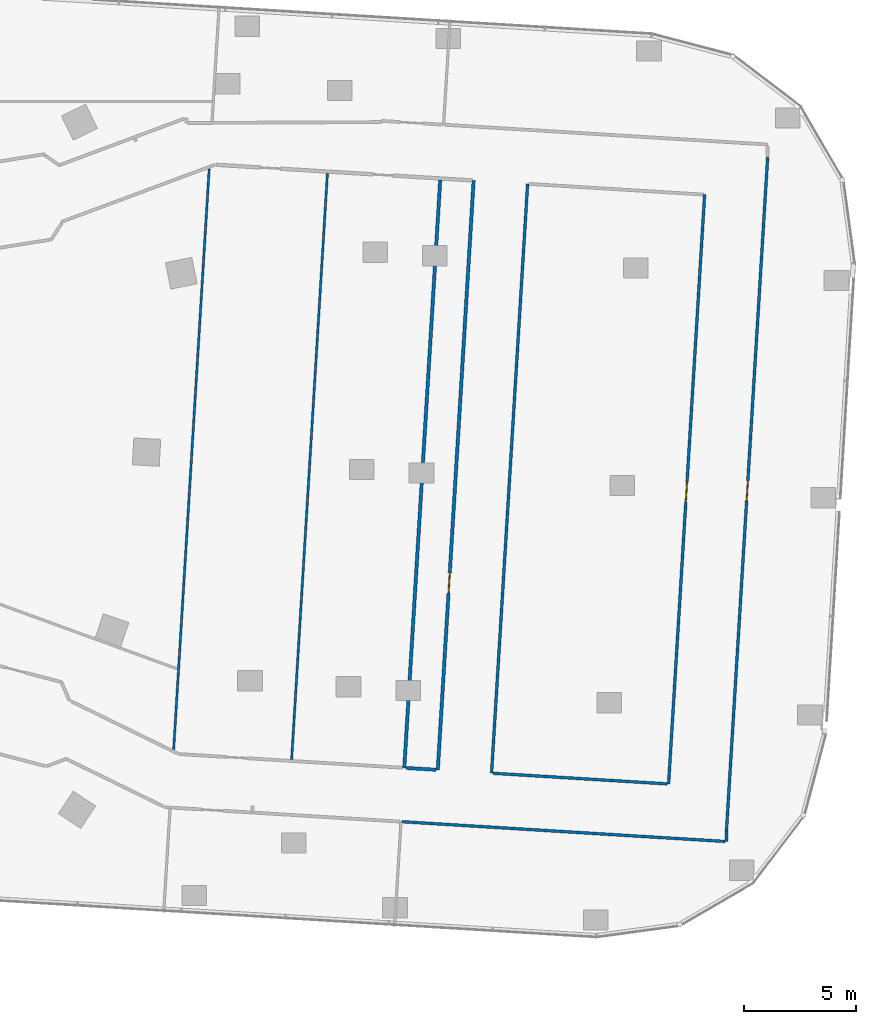
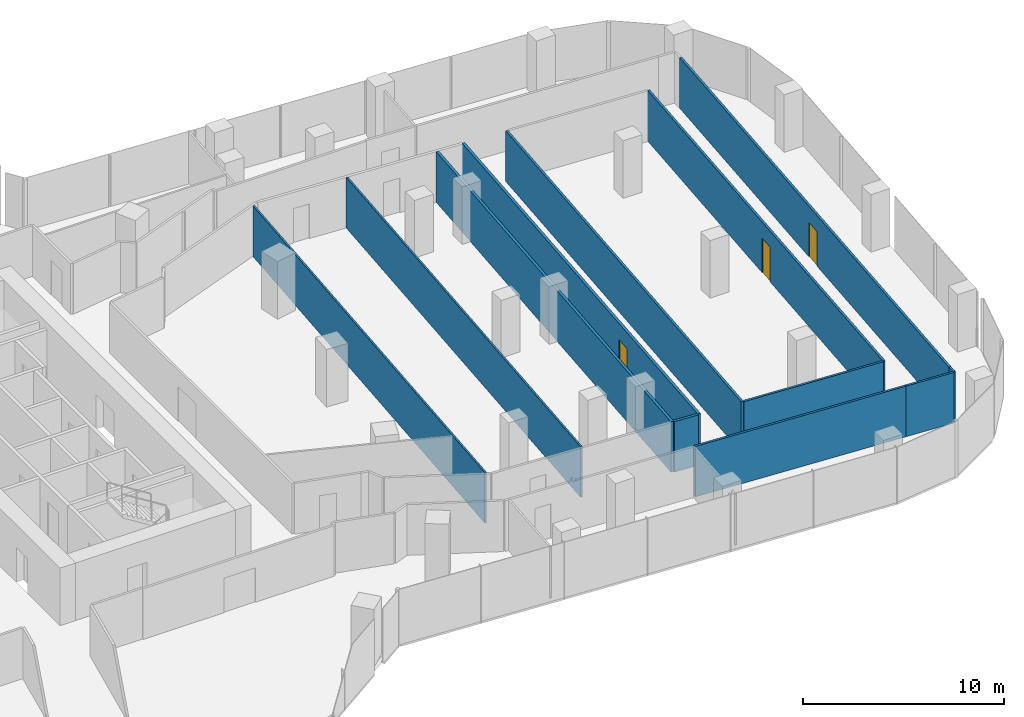
# One storey, part 25 of 32: 12 walls, 3 doors, 3 openings.
"""IFC4 building model written with IfcOpenShell, lengths in metres."""

import ifcopenshell
import ifcopenshell.guid

model = None  # the IFC model being written
_history = None  # IfcOwnerHistory: only IFC2X3 demands one
_inside = {}  # id of a spatial element -> (the spatial element, [elements in it])
_under = {}  # id of a project, library or spatial element -> (it, [spatial elements below it])
_declared = {}  # id of a project -> (the project, [libraries it declares])
_typed = {}  # id of a type object -> (the type object, [elements of that type])
_made_of = {}  # id of a material, layer set ... -> (it, [elements and type objects made of it])


def new_model(schema):
    """Start an empty IFC model of exactly this schema.

    Asked for "IFC4X3", IfcOpenShell would pick the latest addendum, in which some entities
    have other attributes; the version numbers below select the first issue.
    IFC2X3 requires an IfcOwnerHistory on every rooted entity: one is made here for all.
    """
    global model, _history
    if schema == "IFC4X3":
        model = ifcopenshell.file(schema_version=(4, 3, 0, 0))
    else:
        model = ifcopenshell.file(schema=schema)
    _inside.clear()
    _under.clear()
    _declared.clear()
    _typed.clear()
    _made_of.clear()
    _history = None
    if model.schema == "IFC2X3":
        org = make("IfcOrganization", Name="unknown")
        user = make(
            "IfcPersonAndOrganization",
            ThePerson=make("IfcPerson", FamilyName="unknown"),
            TheOrganization=org,
        )
        app = make(
            "IfcApplication",
            ApplicationDeveloper=org,
            Version="unknown",
            ApplicationFullName="unknown",
            ApplicationIdentifier="unknown",
        )
        _history = make(
            "IfcOwnerHistory",
            OwningUser=user,
            OwningApplication=app,
            ChangeAction="ADDED",
            CreationDate=0,
        )
    return model


def make(cls, **values):
    """One entity of the class cls with the attributes given. An attribute that is None is left unset."""
    return model.create_entity(
        cls, **{name: value for name, value in values.items() if value is not None}
    )


def rooted(cls, **values):
    """An entity with a GlobalId (a new one), such as an element, a storey or a relation."""
    return make(cls, GlobalId=ifcopenshell.guid.new(), OwnerHistory=_history, **values)


def si_unit(unit_type, name, prefix=None):
    """IfcSIUnit, for example si_unit("LENGTHUNIT", "METRE", prefix="MILLI")."""
    return make("IfcSIUnit", UnitType=unit_type, Prefix=prefix, Name=name)


def assignment(units):
    """IfcUnitAssignment: the units of a project."""
    return None if units is None else make("IfcUnitAssignment", Units=units)


def point(xyz):
    """IfcCartesianPoint."""
    return None if xyz is None else make("IfcCartesianPoint", Coordinates=xyz)


def direction(xyz):
    """IfcDirection."""
    return None if xyz is None else make("IfcDirection", DirectionRatios=xyz)


def frame(location, z_axis=None, x_axis=None):
    """IfcAxis2Placement3D, a coordinate frame: its origin and axes. An axis left out is left unset."""
    return make(
        "IfcAxis2Placement3D",
        Location=point(location),
        Axis=direction(z_axis),
        RefDirection=direction(x_axis),
    )


def frame_2d(location, x_axis=None):
    """IfcAxis2Placement2D, a coordinate frame in the plane: its origin and x axis."""
    return make(
        "IfcAxis2Placement2D", Location=point(location), RefDirection=direction(x_axis)
    )


def origin():
    """The frame at (0, 0, 0) with its axes left unset."""
    return frame((0.0, 0.0, 0.0))


def place(relative_to, where):
    """IfcLocalPlacement: puts the frame where relative to a parent placement (None: the world)."""
    return make(
        "IfcLocalPlacement", PlacementRelTo=relative_to, RelativePlacement=where
    )


def context(
    kind, dimensions, precision=None, world=None, true_north=None, identifier=None
):
    """IfcGeometricRepresentationContext, for example the 3D "Model" context."""
    return make(
        "IfcGeometricRepresentationContext",
        ContextIdentifier=identifier,
        ContextType=kind,
        CoordinateSpaceDimension=dimensions,
        Precision=precision,
        WorldCoordinateSystem=world,
        TrueNorth=true_north,
    )


def subcontext(parent, identifier, kind, view, scale=None):
    """IfcGeometricRepresentationSubContext, for example "Body" below "Model"."""
    return make(
        "IfcGeometricRepresentationSubContext",
        ContextIdentifier=identifier,
        ContextType=kind,
        ParentContext=parent,
        TargetScale=scale,
        TargetView=view,
    )


def project(units=None, contexts=None):
    """IfcProject with its units and contexts."""
    return rooted(
        "IfcProject",
        Name="project",
        RepresentationContexts=contexts,
        UnitsInContext=assignment(units),
    )


def spatial(cls, under=None, at=None, **own):
    """A site, building, storey or space (cls), placed at a placement, below another one or the project."""
    s = rooted(cls, ObjectPlacement=at, **own)
    if under is not None:
        _under.setdefault(under.id(), (under, []))[1].append(s)
    return s


def profile(cls, at=None, kind="AREA", **sizes):
    """A parametric profile (cls). Its sizes go by their IFC names, for example OverallWidth=200.0."""
    return make(cls, ProfileType=kind, Position=at, **sizes)


def rectangle(**sizes):
    """IfcRectangleProfileDef."""
    return profile("IfcRectangleProfileDef", **sizes)


def extrude(swept, where, along, depth):
    """IfcExtrudedAreaSolid: the profile swept, set in the frame where, extruded along a direction by depth."""
    return make(
        "IfcExtrudedAreaSolid",
        SweptArea=swept,
        Position=where,
        ExtrudedDirection=direction(along),
        Depth=depth,
    )


def shape(context_of_items, identifier, shape_type, items):
    """IfcShapeRepresentation: the items that make up one representation, for example the "Body"."""
    return make(
        "IfcShapeRepresentation",
        ContextOfItems=context_of_items,
        RepresentationIdentifier=identifier,
        RepresentationType=shape_type,
        Items=items,
    )


def material(Name=None, Category=None):
    """IfcMaterial."""
    return make("IfcMaterial", Name=Name, Category=Category)


def layer(
    of_material, thickness, ventilated=None, Name=None, Category=None, Priority=None
):
    """IfcMaterialLayer: one layer of a wall or slab, of a material (None: an air gap)."""
    return make(
        "IfcMaterialLayer",
        Material=of_material,
        LayerThickness=thickness,
        IsVentilated=ventilated,
        Name=Name,
        Category=Category,
        Priority=Priority,
    )


def layer_set(layers, Name=None):
    """IfcMaterialLayerSet."""
    return make("IfcMaterialLayerSet", MaterialLayers=layers, LayerSetName=Name)


def made_of(thing, what):
    """Note that an element or type object is made of a material, layer set ...; save() writes the relation."""
    if what is not None:
        _made_of.setdefault(what.id(), (what, []))[1].append(thing)
    return thing


def type_object(cls, material=None, **own):
    """A type object (cls), such as IfcWallType, which elements share."""
    return made_of(rooted(cls, **own), material)


def element(
    cls,
    number,
    at=None,
    inside=None,
    cuts=None,
    type_object=None,
    material=None,
    context=None,
    identifier="Body",
    shape_type=None,
    held_by="IfcProductDefinitionShape",
    body=None,
    shapes=None,
    **own,
):
    """One element of the class cls, such as IfcWall. Its Tag is "e" and its number.

    at: its placement. inside: the storey or other place that contains it. cuts: it is an
    opening in that element (IfcRelVoidsElement). A single representation is given by context,
    identifier, shape_type and body (its items); several are given by shapes. held_by: the class
    of the entity that holds the representations. save() writes the other relations.
    """
    e = rooted(cls, Tag="e%d" % number, ObjectPlacement=at, **own)
    if body is not None:
        shapes = [shape(context, identifier, shape_type, body)]
    if shapes is not None:
        e.Representation = make(held_by, Representations=shapes)
    if inside is not None:
        _inside.setdefault(inside.id(), (inside, []))[1].append(e)
    if cuts is not None:
        rooted(
            "IfcRelVoidsElement", RelatingBuildingElement=cuts, RelatedOpeningElement=e
        )
    if type_object is not None:
        _typed.setdefault(type_object.id(), (type_object, []))[1].append(e)
    return made_of(e, material)


def fill(opening, filler):
    """IfcRelFillsElement: the door or window that sits in an opening."""
    return rooted(
        "IfcRelFillsElement",
        RelatingOpeningElement=opening,
        RelatedBuildingElement=filler,
    )


def aggregate(whole, parts):
    """IfcRelAggregates: a whole, such as a stair, and the parts it consists of."""
    return rooted("IfcRelAggregates", RelatingObject=whole, RelatedObjects=parts)


def save(model, path):
    """Write the relations noted so far, then the file.

    IfcRelAggregates (storeys below a building ...), IfcRelContainedInSpatialStructure (elements
    in a storey), IfcRelDefinesByType, IfcRelAssociatesMaterial and IfcRelDeclares: one each for
    every whole, place, type object, material and project.
    """
    for whole, parts in _under.values():
        aggregate(whole, parts)
    for where, things in _inside.values():
        rooted(
            "IfcRelContainedInSpatialStructure",
            RelatedElements=things,
            RelatingStructure=where,
        )
    for kind, things in _typed.values():
        rooted("IfcRelDefinesByType", RelatedObjects=things, RelatingType=kind)
    for what, things in _made_of.values():
        rooted("IfcRelAssociatesMaterial", RelatedObjects=things, RelatingMaterial=what)
    for by, libraries in _declared.values():
        rooted("IfcRelDeclares", RelatingContext=by, RelatedDefinitions=libraries)
    model.write(path)


model = new_model("IFC4")

# Units and contexts
model_context = context("Model", 3, precision=1e-05, world=origin(), true_north=direction((0.0, 1.0)))
body_context = subcontext(model_context, "Body", "Model", "MODEL_VIEW")
ifc_project = project(units=[si_unit("LENGTHUNIT", "METRE"), si_unit("AREAUNIT", "SQUARE_METRE"), si_unit("VOLUMEUNIT", "CUBIC_METRE"), si_unit("PLANEANGLEUNIT", "RADIAN"), si_unit("MASSUNIT", "GRAM", prefix="KILO")], contexts=[model_context])

# Site, building, storey
site_placement = place(None, origin())
site = spatial("IfcSite", under=ifc_project, at=site_placement, CompositionType="ELEMENT")
building_placement = place(site_placement, origin())
building = spatial("IfcBuilding", under=site, at=building_placement, Name="Orlundy Tower", CompositionType="ELEMENT")
storey_placement = place(building_placement, frame((0.0, 0.0, 152.60009765625)))
storey = spatial("IfcBuildingStorey", under=building, at=storey_placement, Name="L39", CompositionType="ELEMENT", Elevation=152.60009765625)

# Walls
ifc_material_1 = material(Name="Gypsum board partition")
ifc_layer_1 = layer(ifc_material_1, 0.10009765625)
ifc_layer_set_1 = layer_set([ifc_layer_1], Name="Floor partition 100")
wall_type_1 = type_object("IfcWallType", Name="Floor partition 100", PredefinedType="PARTITIONING", material=ifc_layer_set_1)
wall_1_placement = place(storey_placement, frame((36.09912109375, -15.325927734375, 0.0), z_axis=(0.0, 0.0, 1.0), x_axis=(0.060935779655, 0.998141688719, 0.0)))
element("IfcWall", 1, at=wall_1_placement, inside=storey, type_object=wall_type_1, Name="wall-int-L39-089", PredefinedType="PARTITIONING", context=body_context, shape_type="SweptSolid", body=[
    extrude(rectangle(XDim=26.174560546875, YDim=0.10009765625, at=frame_2d((13.08740234375, 0.0))), origin(), (0.0, 0.0, 1.0), 3.079833984375),
])
wall_2_placement = place(storey_placement, frame((30.842041015625, -14.87890625, 0.0), z_axis=(0.0, 0.0, 1.0), x_axis=(0.061072336712, 0.998133342639, 0.0)))
element("IfcWall", 2, at=wall_2_placement, inside=storey, type_object=wall_type_1, Name="wall-int-L39-091", PredefinedType="PARTITIONING", context=body_context, shape_type="SweptSolid", body=[
    extrude(rectangle(XDim=25.920166015625, YDim=0.10009765625, at=frame_2d((12.9599609375, 0.0))), origin(), (0.0, 0.0, 1.0), 3.079833984375),
])
ifc_material_2 = material(Name="Gypsum board partition, double layer")
ifc_layer_2 = layer(ifc_material_2, 0.125)
ifc_layer_set_2 = layer_set([ifc_layer_2], Name="Floor partition 125")
wall_type_2 = type_object("IfcWallType", Name="Floor partition 125", PredefinedType="PARTITIONING", material=ifc_layer_set_2)
wall_3_placement = place(storey_placement, frame((41.02197265625, -18.094970703125, 0.0), z_axis=(0.0, 0.0, 1.0), x_axis=(0.998124844779, -0.06121106301, 0.0)))
element("IfcWall", 3, at=wall_3_placement, inside=storey, type_object=wall_type_2, Name="wall-int-L39-035", PredefinedType="PARTITIONING", context=body_context, shape_type="SweptSolid", body=[
    extrude(rectangle(XDim=11.74609375, YDim=0.125, at=frame_2d((5.873046875, 0.0))), origin(), (0.0, 0.0, 1.0), 3.079833984375),
])
wall_4_placement = place(storey_placement, frame((52.75, -18.81201171875, 0.0), z_axis=(0.0, 0.0, 1.0), x_axis=(0.998124296611, -0.061220000931, 0.0)))
element("IfcWall", 4, at=wall_4_placement, inside=storey, type_object=wall_type_2, Name="wall-int-L39-036", PredefinedType="PARTITIONING", context=body_context, shape_type="SweptSolid", body=[
    extrude(rectangle(XDim=2.663818359375, YDim=0.125, at=frame_2d((1.33203125, 0.0))), origin(), (0.0, 0.0, 1.0), 3.079833984375),
])
wall_5_placement = place(storey_placement, frame((45.070068359375, -15.93701171875, 0.0), z_axis=(0.0, 0.0, 1.0), x_axis=(0.998142502844, -0.060922442628, 0.0)))
element("IfcWall", 5, at=wall_5_placement, inside=storey, type_object=wall_type_2, Name="wall-int-L39-040", PredefinedType="PARTITIONING", context=body_context, shape_type="SweptSolid", body=[
    extrude(rectangle(XDim=7.7783203125, YDim=0.125, at=frame_2d((3.88916015625, 0.0))), origin(), (0.0, 0.0, 1.0), 3.079833984375),
])

# Wall, opening, door
wall_6_placement = place(storey_placement, frame((57.31103515625, 11.513916015625, 0.0), z_axis=(0.0, 0.0, 1.0), x_axis=(-0.061067487699, -0.998133639322, 0.0)))
wall_6 = element("IfcWall", 6, at=wall_6_placement, inside=storey, type_object=wall_type_2, Name="wall-int-L39-082", PredefinedType="PARTITIONING", context=body_context, shape_type="SweptSolid", body=[
    extrude(rectangle(XDim=30.080078125, YDim=0.125, at=frame_2d((15.0400390625, 0.0))), origin(), (0.0, 0.0, 1.0), 3.079833984375),
])
opening_1_placement = place(wall_6_placement, frame((14.435302734375, 0.0, 0.0)))
opening_1 = element("IfcOpeningElement", 7, at=opening_1_placement, cuts=wall_6, Name="Opening 30106", PredefinedType="OPENING", context=body_context, shape_type="SweptSolid", body=[
    extrude(rectangle(XDim=0.89990234375, YDim=2.10009765625, at=frame_2d((0.449951171875, 1.050048828125))), frame((0.0, 0.072509765625, 0.0), z_axis=(0.0, -1.0, 0.0), x_axis=(1.0, 0.0, 0.0)), (0.0, 0.0, 1.0), 0.14501953125),
])
ifc_material_3 = material(Name="Timber door leaf", Category="wood")
door_type_1 = type_object("IfcDoorType", Name="Floor door single 900 FD30S", OperationType="NOTDEFINED", PredefinedType="DOOR", material=ifc_material_3)
door_1_placement = place(opening_1_placement, origin())
door_1 = element("IfcDoor", 8, at=door_1_placement, inside=storey, type_object=door_type_1, Name="Door 30106", OperationType="SINGLE_SWING_LEFT", OverallHeight=2.10009765625, OverallWidth=0.89990234375, PredefinedType="DOOR", context=body_context, shape_type="SweptSolid", body=[
    extrude(rectangle(XDim=0.89990234375, YDim=2.10009765625, at=frame_2d((0.449951171875, 1.050048828125))), frame((0.0, 0.02490234375, 0.0), z_axis=(0.0, -1.0, 0.0), x_axis=(1.0, 0.0, 0.0)), (0.0, 0.0, 1.0), 0.050048828125),
])
fill(opening_1, door_1)

wall_7_placement = place(storey_placement, frame((52.89599609375, -16.4150390625, 0.0), z_axis=(0.0, 0.0, 1.0), x_axis=(0.061037428755, 0.998135477924, 0.0)))
wall_7 = element("IfcWall", 9, at=wall_7_placement, inside=storey, type_object=wall_type_2, Name="wall-int-L39-083", PredefinedType="PARTITIONING", context=body_context, shape_type="SweptSolid", body=[
    extrude(rectangle(XDim=26.31103515625, YDim=0.125, at=frame_2d((13.155517578125, 0.0))), origin(), (0.0, 0.0, 1.0), 3.079833984375),
])
opening_2_placement = place(wall_7_placement, frame((12.60009765625, 0.0, 0.0)))
opening_2 = element("IfcOpeningElement", 10, at=opening_2_placement, cuts=wall_7, Name="Opening 30105", PredefinedType="OPENING", context=body_context, shape_type="SweptSolid", body=[
    extrude(rectangle(XDim=0.89990234375, YDim=2.10009765625, at=frame_2d((0.449951171875, 1.050048828125))), frame((0.0, 0.072509765625, 0.0), z_axis=(0.0, -1.0, 0.0), x_axis=(1.0, 0.0, 0.0)), (0.0, 0.0, 1.0), 0.14501953125),
])
door_2_placement = place(opening_2_placement, origin())
door_2 = element("IfcDoor", 11, at=door_2_placement, inside=storey, type_object=door_type_1, Name="Door 30105", OperationType="SINGLE_SWING_LEFT", OverallHeight=2.10009765625, OverallWidth=0.89990234375, PredefinedType="DOOR", context=body_context, shape_type="SweptSolid", body=[
    extrude(rectangle(XDim=0.89990234375, YDim=2.10009765625, at=frame_2d((0.449951171875, 1.050048828125))), frame((0.0, 0.02490234375, 0.0), z_axis=(0.0, -1.0, 0.0), x_axis=(1.0, 0.0, 0.0)), (0.0, 0.0, 1.0), 0.050048828125),
])
fill(opening_2, door_2)

# Walls
wall_8_placement = place(storey_placement, frame((45.008056640625, -15.93310546875, 0.0), z_axis=(0.0, 0.0, 1.0), x_axis=(0.061073840806, 0.998133250608, 0.0)))
element("IfcWall", 12, at=wall_8_placement, inside=storey, type_object=wall_type_2, Name="wall-int-L39-084", PredefinedType="PARTITIONING", context=body_context, shape_type="SweptSolid", body=[
    extrude(rectangle(XDim=26.311279296875, YDim=0.125, at=frame_2d((13.15576171875, 0.0))), origin(), (0.0, 0.0, 1.0), 3.079833984375),
])
wall_9_placement = place(storey_placement, frame((55.471923828125, -18.97802734375, 0.0), z_axis=(0.0, 0.0, 1.0), x_axis=(0.004694783941, 0.999988979441, 0.0)))
element("IfcWall", 13, at=wall_9_placement, inside=storey, type_object=wall_type_2, Name="wall-int-L39-094", PredefinedType="PARTITIONING", context=body_context, shape_type="SweptSolid", body=[
    extrude(rectangle(XDim=0.468017578125, YDim=0.125, at=frame_2d((0.23388671875, 0.0))), origin(), (0.0, 0.0, 1.0), 3.079833984375),
])
ifc_material_4 = material(Name="Blockwork shaft wall", Category="masonry")
ifc_layer_3 = layer(ifc_material_4, 0.14990234375)
ifc_layer_set_3 = layer_set([ifc_layer_3], Name="Floor shaft wall 150")
wall_type_3 = type_object("IfcWallType", Name="Floor shaft wall 150", PredefinedType="PARTITIONING", material=ifc_layer_set_3)
wall_10_placement = place(storey_placement, frame((41.194091796875, -15.699951171875, 0.0), z_axis=(0.0, 0.0, 1.0), x_axis=(0.998183738246, -0.060243046918, 0.0)))
element("IfcWall", 14, at=wall_10_placement, inside=storey, type_object=wall_type_3, Name="wall-int-L39-038", PredefinedType="PARTITIONING", context=body_context, shape_type="SweptSolid", body=[
    extrude(rectangle(XDim=1.345458984375, YDim=0.14990234375, at=frame_2d((0.6728515625, 0.0))), origin(), (0.0, 0.0, 1.0), 3.079833984375),
])

# Wall, opening, door
wall_11_placement = place(storey_placement, frame((42.612060546875, -15.785888671875, 0.0), z_axis=(0.0, 0.0, 1.0), x_axis=(0.060711547525, 0.998155352637, 0.0)))
wall_11 = element("IfcWall", 15, at=wall_11_placement, inside=storey, type_object=wall_type_3, Name="wall-int-L39-085", PredefinedType="PARTITIONING", context=body_context, shape_type="SweptSolid", body=[
    extrude(rectangle(XDim=26.319580078125, YDim=0.14990234375, at=frame_2d((13.15966796875, 0.0))), origin(), (0.0, 0.0, 1.0), 3.079833984375),
])
opening_3_placement = place(wall_11_placement, frame((7.90185546875, 0.0, 0.0)))
opening_3 = element("IfcOpeningElement", 16, at=opening_3_placement, cuts=wall_11, Name="Opening 30104", PredefinedType="OPENING", context=body_context, shape_type="SweptSolid", body=[
    extrude(rectangle(XDim=0.89990234375, YDim=2.10009765625, at=frame_2d((0.449951171875, 1.050048828125))), frame((0.0, 0.0849609375, 0.0), z_axis=(0.0, -1.0, 0.0), x_axis=(1.0, 0.0, 0.0)), (0.0, 0.0, 1.0), 0.169921875),
])
ifc_material_5 = material(Name="Timber door leaf", Category="wood")
door_type_2 = type_object("IfcDoorType", Name="Floor door single 900 FD60", OperationType="NOTDEFINED", PredefinedType="DOOR", material=ifc_material_5)
door_3_placement = place(opening_3_placement, origin())
door_3 = element("IfcDoor", 17, at=door_3_placement, inside=storey, type_object=door_type_2, Name="Door 30104", OperationType="SINGLE_SWING_LEFT", OverallHeight=2.10009765625, OverallWidth=0.89990234375, PredefinedType="DOOR", context=body_context, shape_type="SweptSolid", body=[
    extrude(rectangle(XDim=0.89990234375, YDim=2.10009765625, at=frame_2d((0.449951171875, 1.050048828125))), frame((0.0, 0.02490234375, 0.0), z_axis=(0.0, -1.0, 0.0), x_axis=(1.0, 0.0, 0.0)), (0.0, 0.0, 1.0), 0.050048828125),
])
fill(opening_3, door_3)

# Wall
wall_12_placement = place(storey_placement, frame((41.118896484375, -15.695068359375, 0.0), z_axis=(0.0, 0.0, 1.0), x_axis=(0.061026057913, 0.998136173203, 0.0)))
element("IfcWall", 18, at=wall_12_placement, inside=storey, type_object=wall_type_3, Name="wall-int-L39-087", PredefinedType="PARTITIONING", context=body_context, shape_type="SweptSolid", body=[
    extrude(rectangle(XDim=26.23583984375, YDim=0.14990234375, at=frame_2d((13.117919921875, 0.0))), origin(), (0.0, 0.0, 1.0), 3.079833984375),
])

save(model, "model.ifc")
